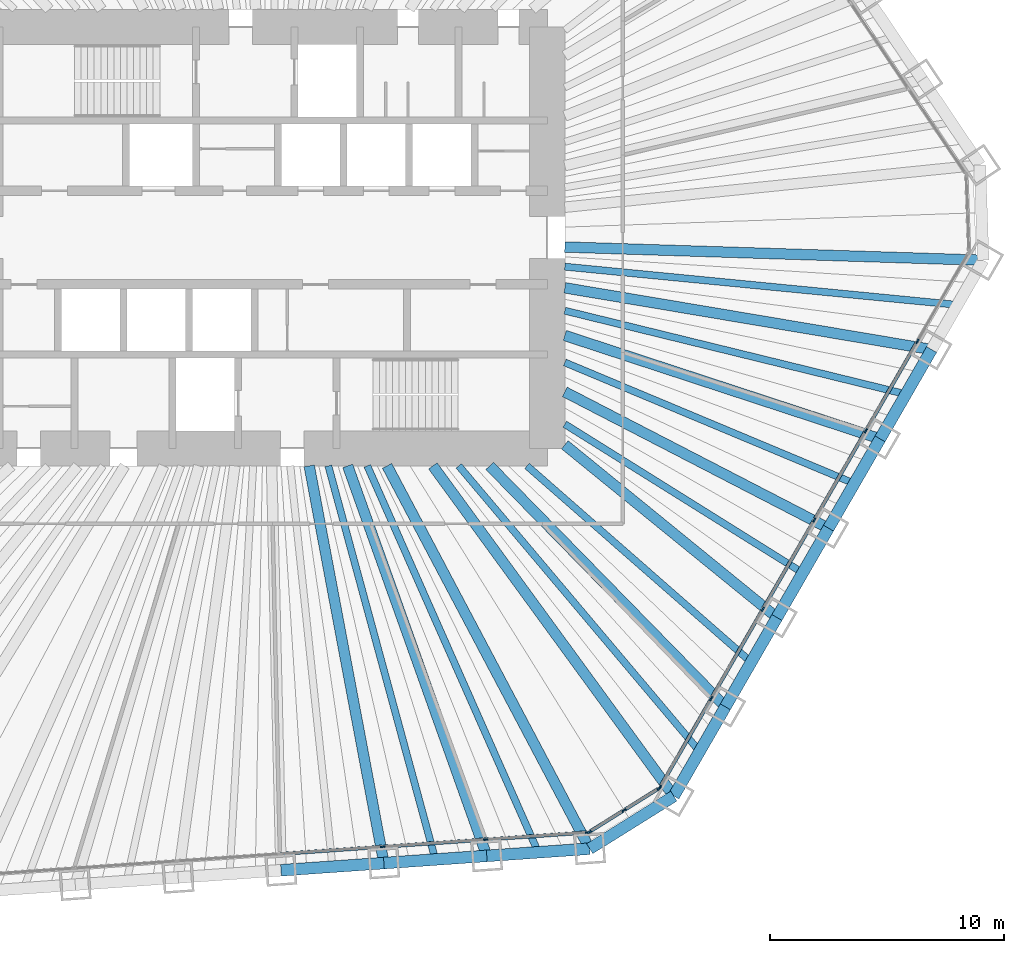
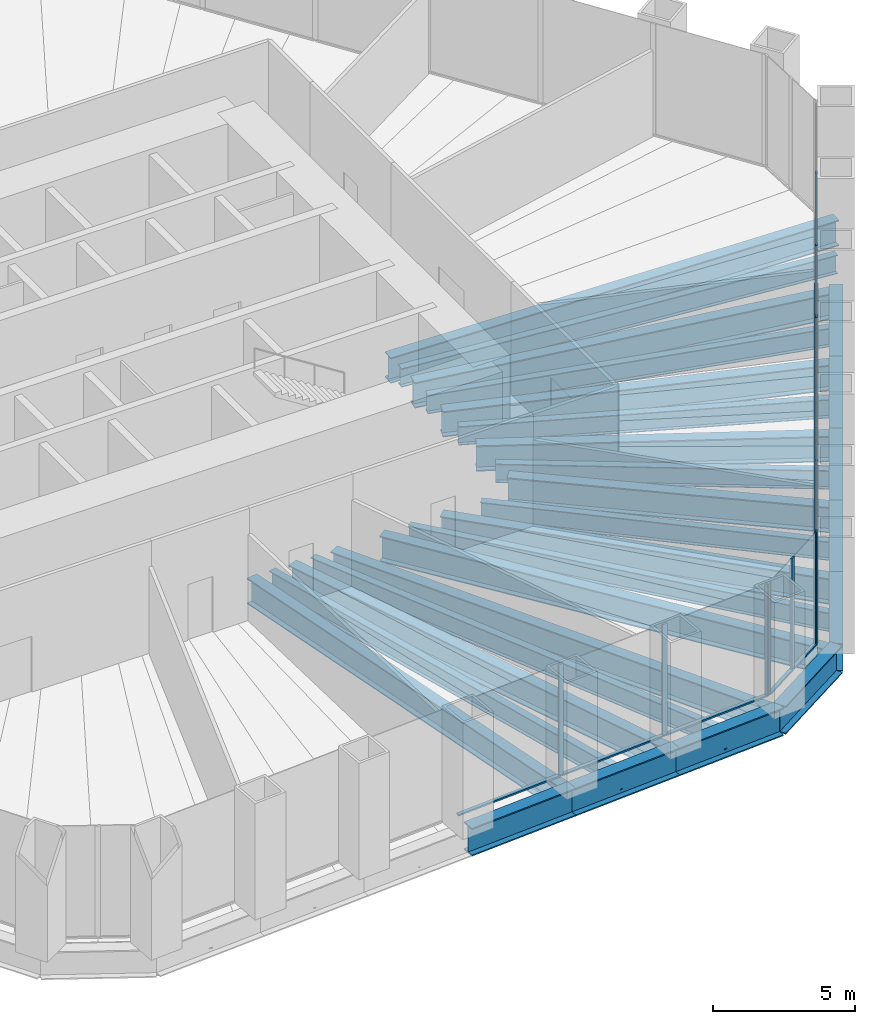
# One storey, part 4 of 13: 27 beams, 22 members, 3 elements without a shape of their own.
"""IFC4 building model written with IfcOpenShell, lengths in metres."""

from ifc_helpers import new_model, si_unit, direction, frame, origin, origin_2d, place, context, subcontext, project, spatial, rectangle, i_section, extrude, material, material_profile, profile_set, type_object, element, aggregate, save


model = new_model("IFC4")

# Units and contexts
model_context = context("Model", 3, precision=1e-05, world=origin(), true_north=direction((0.0, 1.0)))
body_context = subcontext(model_context, "Body", "Model", "MODEL_VIEW")
ifc_project = project(units=[si_unit("LENGTHUNIT", "METRE"), si_unit("AREAUNIT", "SQUARE_METRE"), si_unit("VOLUMEUNIT", "CUBIC_METRE"), si_unit("PLANEANGLEUNIT", "RADIAN"), si_unit("MASSUNIT", "GRAM", prefix="KILO")], contexts=[model_context])

# Site, building, storey
site_placement = place(None, origin())
site = spatial("IfcSite", under=ifc_project, at=site_placement, CompositionType="ELEMENT")
building_placement = place(site_placement, origin())
building = spatial("IfcBuilding", under=site, at=building_placement, Name="Qingtian Harvest Tower", CompositionType="ELEMENT")
storey_placement = place(building_placement, frame((0.0, 0.0, 27.0)))
storey = spatial("IfcBuildingStorey", under=building, at=storey_placement, Name="L05", CompositionType="ELEMENT", Elevation=27.0)

# Beams
ifc_material_1 = material(Name="Steel SM570MC", Category="steel")
ifc_material_profile_1 = material_profile(ifc_material_1, i_section(OverallWidth=0.449951171875, OverallDepth=1.10009765625, WebThickness=0.02197265625, FlangeThickness=0.044921875, at=origin_2d()), Name="H1100x450x22x45")
ifc_profile_set_1 = profile_set([ifc_material_profile_1], Name="Steel SM570MC")
beam_type_1 = type_object("IfcBeamType", Name="Corner floor beam FB8 H1100x450x22x45", PredefinedType="BEAM", material=ifc_profile_set_1)
beam_1_placement = place(storey_placement, frame((30.618408203125, -0.96728515625, -0.75), z_axis=(-0.999501426546, 0.031573696842, 0.0), x_axis=(-0.031573696842, -0.999501426546, 0.0)))
element("IfcBeam", 1, at=beam_1_placement, inside=storey, type_object=beam_type_1, Name="Floor beam FB8 SE0", PredefinedType="BEAM", context=body_context, shape_type="SweptSolid", body=[
    extrude(i_section(OverallWidth=0.449951171875, OverallDepth=1.10009765625, WebThickness=0.02197265625, FlangeThickness=0.044921875, at=origin_2d()), origin(), (0.0, 0.0, 1.0), 17.87744140625),
])
beam_2_placement = place(storey_placement, frame((17.404541015625, -23.854248046875, -0.75), z_axis=(-0.58941234871, 0.807832336062, 0.0), x_axis=(-0.807832336062, -0.58941234871, 0.0)))
element("IfcBeam", 2, at=beam_2_placement, inside=storey, type_object=beam_type_1, Name="Floor beam FB8 SE6", PredefinedType="BEAM", context=body_context, shape_type="SweptSolid", body=[
    extrude(i_section(OverallWidth=0.449951171875, OverallDepth=1.10009765625, WebThickness=0.02197265625, FlangeThickness=0.044921875, at=origin_2d()), origin(), (0.0, 0.0, 1.0), 17.45947265625),
])
beam_3_placement = place(storey_placement, frame((13.810546875, -26.10009765625, -0.75), z_axis=(-0.467705182679, 0.883884529843, 0.0), x_axis=(-0.883884529843, -0.467705182679, 0.0)))
element("IfcBeam", 3, at=beam_3_placement, inside=storey, type_object=beam_type_1, Name="Floor beam FB8 S0", PredefinedType="BEAM", context=body_context, shape_type="SweptSolid", body=[
    extrude(i_section(OverallWidth=0.449951171875, OverallDepth=1.10009765625, WebThickness=0.02197265625, FlangeThickness=0.044921875, at=origin_2d()), origin(), (0.0, 0.0, 1.0), 18.498046875),
])
ifc_material_2 = material(Name="Steel SM570MC", Category="steel")
ifc_material_profile_2 = material_profile(ifc_material_2, i_section(OverallWidth=0.449951171875, OverallDepth=1.10009765625, WebThickness=0.02197265625, FlangeThickness=0.044921875, at=origin_2d()), Name="H1100x450x22x45")
ifc_profile_set_2 = profile_set([ifc_material_profile_2], Name="Steel SM570MC")
beam_type_2 = type_object("IfcBeamType", Name="Floor beam FB1 H1100x450x22x45", PredefinedType="BEAM", material=ifc_profile_set_2)
beam_4_placement = place(storey_placement, frame((28.416015625, -4.78173828125, -0.75), z_axis=(-0.986135195489, 0.16594389479, 0.0), x_axis=(-0.16594389479, -0.986135195489, 0.0)))
element("IfcBeam", 4, at=beam_4_placement, inside=storey, type_object=beam_type_2, Name="Floor beam FB1 SE1", PredefinedType="BEAM", context=body_context, shape_type="SweptSolid", body=[
    extrude(i_section(OverallWidth=0.449951171875, OverallDepth=1.10009765625, WebThickness=0.02197265625, FlangeThickness=0.044921875, at=origin_2d()), origin(), (0.0, 0.0, 1.0), 15.88623046875),
])
beam_5_placement = place(storey_placement, frame((26.2138671875, -8.596435546875, -0.75), z_axis=(-0.950210724421, 0.311608053803, 0.0), x_axis=(-0.311608053803, -0.950210724421, 0.0)))
element("IfcBeam", 5, at=beam_5_placement, inside=storey, type_object=beam_type_2, Name="Floor beam FB1 SE2", PredefinedType="BEAM", context=body_context, shape_type="SweptSolid", body=[
    extrude(i_section(OverallWidth=0.449951171875, OverallDepth=1.10009765625, WebThickness=0.02197265625, FlangeThickness=0.044921875, at=origin_2d()), origin(), (0.0, 0.0, 1.0), 14.16943359375),
])
beam_6_placement = place(storey_placement, frame((24.011474609375, -12.410888671875, -0.75), z_axis=(-0.888349581519, 0.45916774823, 0.0), x_axis=(-0.45916774823, -0.888349581519, 0.0)))
element("IfcBeam", 6, at=beam_6_placement, inside=storey, type_object=beam_type_2, Name="Floor beam FB1 SE3", PredefinedType="BEAM", context=body_context, shape_type="SweptSolid", body=[
    extrude(i_section(OverallWidth=0.449951171875, OverallDepth=1.10009765625, WebThickness=0.02197265625, FlangeThickness=0.044921875, at=origin_2d()), origin(), (0.0, 0.0, 1.0), 12.6767578125),
])
beam_7_placement = place(storey_placement, frame((21.809326171875, -16.225341796875, -0.75), z_axis=(-0.775504415669, 0.631342142802, 0.0), x_axis=(-0.631342142802, -0.775504415669, 0.0)))
element("IfcBeam", 7, at=beam_7_placement, inside=storey, type_object=beam_type_2, Name="Floor beam FB1 SE4", PredefinedType="BEAM", context=body_context, shape_type="SweptSolid", body=[
    extrude(i_section(OverallWidth=0.449951171875, OverallDepth=1.10009765625, WebThickness=0.02197265625, FlangeThickness=0.044921875, at=origin_2d()), origin(), (0.0, 0.0, 1.0), 11.681884765625),
])
beam_8_placement = place(storey_placement, frame((19.60693359375, -20.039794921875, -0.75), z_axis=(-0.699348221539, 0.714781130858, 0.0), x_axis=(-0.714781130858, -0.699348221539, 0.0)))
element("IfcBeam", 8, at=beam_8_placement, inside=storey, type_object=beam_type_2, Name="Floor beam FB1 SE5", PredefinedType="BEAM", context=body_context, shape_type="SweptSolid", body=[
    extrude(i_section(OverallWidth=0.449951171875, OverallDepth=1.10009765625, WebThickness=0.02197265625, FlangeThickness=0.044921875, at=origin_2d()), origin(), (0.0, 0.0, 1.0), 14.395751953125),
])
beam_9_placement = place(storey_placement, frame((9.41650390625, -26.407470703125, -0.75), z_axis=(-0.33586498155, 0.941910141239, 0.0), x_axis=(-0.941910141239, -0.33586498155, 0.0)))
element("IfcBeam", 9, at=beam_9_placement, inside=storey, type_object=beam_type_2, Name="Floor beam FB1 S1", PredefinedType="BEAM", context=body_context, shape_type="SweptSolid", body=[
    extrude(i_section(OverallWidth=0.449951171875, OverallDepth=1.10009765625, WebThickness=0.02197265625, FlangeThickness=0.044921875, at=origin_2d()), origin(), (0.0, 0.0, 1.0), 17.684814453125),
])
beam_10_placement = place(storey_placement, frame((5.022705078125, -26.714599609375, -0.75), z_axis=(-0.184782942099, 0.98277935688, 0.0), x_axis=(-0.98277935688, -0.184782942099, 0.0)))
element("IfcBeam", 10, at=beam_10_placement, inside=storey, type_object=beam_type_2, Name="Floor beam FB1 S2", PredefinedType="BEAM", context=body_context, shape_type="SweptSolid", body=[
    extrude(i_section(OverallWidth=0.449951171875, OverallDepth=1.10009765625, WebThickness=0.02197265625, FlangeThickness=0.044921875, at=origin_2d()), origin(), (0.0, 0.0, 1.0), 17.261962890625),
])
ifc_material_3 = material(Name="Steel SN490B", Category="steel")
ifc_material_profile_3 = material_profile(ifc_material_3, i_section(OverallWidth=0.300048828125, OverallDepth=0.800048828125, WebThickness=0.013916015625, FlangeThickness=0.02587890625, at=origin_2d()), Name="H800x300x14x26")
ifc_profile_set_3 = profile_set([ifc_material_profile_3], Name="Steel SN490B")
beam_type_3 = type_object("IfcBeamType", Name="Floor joist J1 H800x300x14x26", PredefinedType="JOIST", material=ifc_profile_set_3)
beam_11_placement = place(storey_placement, frame((29.517333984375, -2.87451171875, -0.60009765625), z_axis=(-0.995291970786, 0.096922097011, 0.0), x_axis=(-0.096922097011, -0.995291970786, 0.0)))
element("IfcBeam", 11, at=beam_11_placement, inside=storey, type_object=beam_type_3, Name="Floor joist J1 SE0", PredefinedType="JOIST", context=body_context, shape_type="SweptSolid", body=[
    extrude(i_section(OverallWidth=0.300048828125, OverallDepth=0.800048828125, WebThickness=0.013916015625, FlangeThickness=0.02587890625, at=origin_2d()), origin(), (0.0, 0.0, 1.0), 16.8466796875),
])
beam_12_placement = place(storey_placement, frame((27.31494140625, -6.68896484375, -0.60009765625), z_axis=(-0.971301533706, 0.237851488583, 0.0), x_axis=(-0.237851488583, -0.971301533706, 0.0)))
element("IfcBeam", 12, at=beam_12_placement, inside=storey, type_object=beam_type_3, Name="Floor joist J1 SE1", PredefinedType="JOIST", context=body_context, shape_type="SweptSolid", body=[
    extrude(i_section(OverallWidth=0.300048828125, OverallDepth=0.800048828125, WebThickness=0.013916015625, FlangeThickness=0.02587890625, at=origin_2d()), origin(), (0.0, 0.0, 1.0), 14.995361328125),
])
beam_13_placement = place(storey_placement, frame((25.112548828125, -10.503662109375, -0.60009765625), z_axis=(-0.922550516103, 0.385876334125, 0.0), x_axis=(-0.385876334125, -0.922550516103, 0.0)))
element("IfcBeam", 13, at=beam_13_placement, inside=storey, type_object=beam_type_3, Name="Floor joist J1 SE2", PredefinedType="JOIST", context=body_context, shape_type="SweptSolid", body=[
    extrude(i_section(OverallWidth=0.300048828125, OverallDepth=0.800048828125, WebThickness=0.013916015625, FlangeThickness=0.02587890625, at=origin_2d()), origin(), (0.0, 0.0, 1.0), 13.400390625),
])
beam_14_placement = place(storey_placement, frame((22.910400390625, -14.318115234375, -0.60009765625), z_axis=(-0.848013185461, 0.52997512893, 0.0), x_axis=(-0.52997512893, -0.848013185461, 0.0)))
element("IfcBeam", 14, at=beam_14_placement, inside=storey, type_object=beam_type_3, Name="Floor joist J1 SE3", PredefinedType="JOIST", context=body_context, shape_type="SweptSolid", body=[
    extrude(i_section(OverallWidth=0.300048828125, OverallDepth=0.800048828125, WebThickness=0.013916015625, FlangeThickness=0.02587890625, at=origin_2d()), origin(), (0.0, 0.0, 1.0), 11.9814453125),
])
beam_15_placement = place(storey_placement, frame((20.7080078125, -18.132568359375, -0.60009765625), z_axis=(-0.75234369212, 0.658770801514, 0.0), x_axis=(-0.658770801514, -0.75234369212, 0.0)))
element("IfcBeam", 15, at=beam_15_placement, inside=storey, type_object=beam_type_3, Name="Floor joist J1 SE4", PredefinedType="JOIST", context=body_context, shape_type="SweptSolid", body=[
    extrude(i_section(OverallWidth=0.300048828125, OverallDepth=0.800048828125, WebThickness=0.013916015625, FlangeThickness=0.02587890625, at=origin_2d()), origin(), (0.0, 0.0, 1.0), 12.724609375),
])
beam_16_placement = place(storey_placement, frame((18.505859375, -21.947021484375, -0.60009765625), z_axis=(-0.644630398038, 0.76449437534, 0.0), x_axis=(-0.76449437534, -0.644630398038, 0.0)))
element("IfcBeam", 16, at=beam_16_placement, inside=storey, type_object=beam_type_3, Name="Floor joist J1 SE5", PredefinedType="JOIST", context=body_context, shape_type="SweptSolid", body=[
    extrude(i_section(OverallWidth=0.300048828125, OverallDepth=0.800048828125, WebThickness=0.013916015625, FlangeThickness=0.02587890625, at=origin_2d()), origin(), (0.0, 0.0, 1.0), 15.954345703125),
])
beam_17_placement = place(storey_placement, frame((11.613525390625, -26.25390625, -0.60009765625), z_axis=(-0.404539958959, 0.914520323233, 0.0), x_axis=(-0.914520323233, -0.404539958959, 0.0)))
element("IfcBeam", 17, at=beam_17_placement, inside=storey, type_object=beam_type_3, Name="Floor joist J1 S0", PredefinedType="JOIST", context=body_context, shape_type="SweptSolid", body=[
    extrude(i_section(OverallWidth=0.300048828125, OverallDepth=0.800048828125, WebThickness=0.013916015625, FlangeThickness=0.02587890625, at=origin_2d()), origin(), (0.0, 0.0, 1.0), 18.046630859375),
])
beam_18_placement = place(storey_placement, frame((7.2197265625, -26.56103515625, -0.60009765625), z_axis=(-0.262302659247, 0.964985655309, 0.0), x_axis=(-0.964985655309, -0.262302659247, 0.0)))
element("IfcBeam", 18, at=beam_18_placement, inside=storey, type_object=beam_type_3, Name="Floor joist J1 S1", PredefinedType="JOIST", context=body_context, shape_type="SweptSolid", body=[
    extrude(i_section(OverallWidth=0.300048828125, OverallDepth=0.800048828125, WebThickness=0.013916015625, FlangeThickness=0.02587890625, at=origin_2d()), origin(), (0.0, 0.0, 1.0), 17.421142578125),
])

# Curtain wall, members
ifc_material_4 = material(Name="Bronze-anodised aluminium curtain wall", Category="aluminium")
curtain_wall_type = type_object("IfcCurtainWallType", Name="Curtain wall CW2 farm reception", PredefinedType="USERDEFINED", material=ifc_material_4)
curtain_wall_1_placement = place(storey_placement, origin())
curtain_wall_1 = element("IfcCurtainWall", 19, at=curtain_wall_1_placement, inside=storey, type_object=curtain_wall_type, Name="Curtain wall CW2 L05 SE0-5", ObjectType="RECESSED CURTAIN WALL", PredefinedType="USERDEFINED")
ifc_material_5 = material(Name="Bronze-anodised aluminium mullion", Category="aluminium")
ifc_material_profile_4 = material_profile(ifc_material_5, rectangle(XDim=0.06494140625, YDim=0.199951171875, at=origin_2d()), Name="AL 65x200")
ifc_profile_set_4 = profile_set([ifc_material_profile_4], Name="Bronze-anodised aluminium mullion")
member_type_1 = type_object("IfcMemberType", Name="Mullion CWM 65x200", PredefinedType="MULLION", material=ifc_profile_set_4)
member_1_placement = place(storey_placement, frame((27.809814453125, -4.431884765625, 0.0), z_axis=(0.0, 0.0, 1.0), x_axis=(0.866025403784, -0.5, 0.0)))
member_1 = element("IfcMember", 20, at=member_1_placement, type_object=member_type_1, Name="CW2 mullion 2", PredefinedType="MULLION", context=body_context, shape_type="SweptSolid", body=[
    extrude(rectangle(XDim=0.06494140625, YDim=0.199951171875, at=origin_2d()), origin(), (0.0, 0.0, 1.0), 4.800048828125),
])
member_2_placement = place(storey_placement, frame((25.607666015625, -8.246337890625, 0.0), z_axis=(0.0, 0.0, 1.0), x_axis=(0.866025403784, -0.5, 0.0)))
member_2 = element("IfcMember", 21, at=member_2_placement, type_object=member_type_1, Name="CW2 mullion 3", PredefinedType="MULLION", context=body_context, shape_type="SweptSolid", body=[
    extrude(rectangle(XDim=0.06494140625, YDim=0.199951171875, at=origin_2d()), origin(), (0.0, 0.0, 1.0), 4.800048828125),
])
member_3_placement = place(storey_placement, frame((23.4052734375, -12.060791015625, 0.0), z_axis=(0.0, 0.0, 1.0), x_axis=(0.866025403784, -0.5, 0.0)))
member_3 = element("IfcMember", 22, at=member_3_placement, type_object=member_type_1, Name="CW2 mullion 4", PredefinedType="MULLION", context=body_context, shape_type="SweptSolid", body=[
    extrude(rectangle(XDim=0.06494140625, YDim=0.199951171875, at=origin_2d()), origin(), (0.0, 0.0, 1.0), 4.800048828125),
])
member_4_placement = place(storey_placement, frame((21.202880859375, -15.875244140625, 0.0), z_axis=(0.0, 0.0, 1.0), x_axis=(0.866025403784, -0.5, 0.0)))
member_4 = element("IfcMember", 23, at=member_4_placement, type_object=member_type_1, Name="CW2 mullion 5", PredefinedType="MULLION", context=body_context, shape_type="SweptSolid", body=[
    extrude(rectangle(XDim=0.06494140625, YDim=0.199951171875, at=origin_2d()), origin(), (0.0, 0.0, 1.0), 4.800048828125),
])
member_5_placement = place(storey_placement, frame((19.000732421875, -19.68994140625, 0.0), z_axis=(0.0, 0.0, 1.0), x_axis=(0.866025403784, -0.5, 0.0)))
member_5 = element("IfcMember", 24, at=member_5_placement, type_object=member_type_1, Name="CW2 mullion 6", PredefinedType="MULLION", context=body_context, shape_type="SweptSolid", body=[
    extrude(rectangle(XDim=0.06494140625, YDim=0.199951171875, at=origin_2d()), origin(), (0.0, 0.0, 1.0), 4.800048828125),
])
member_6_placement = place(storey_placement, frame((16.814697265625, -23.47607421875, 0.0), z_axis=(0.0, 0.0, 1.0), x_axis=(0.866025403784, -0.5, 0.0)))
member_6 = element("IfcMember", 25, at=member_6_placement, type_object=member_type_1, Name="CW2 mullion 7", PredefinedType="MULLION", context=body_context, shape_type="SweptSolid", body=[
    extrude(rectangle(XDim=0.06494140625, YDim=0.199951171875, at=origin_2d()), origin(), (0.0, 0.0, 1.0), 4.800048828125),
])

curtain_wall_2_placement = place(storey_placement, origin())
curtain_wall_2 = element("IfcCurtainWall", 26, at=curtain_wall_2_placement, inside=storey, type_object=curtain_wall_type, Name="Curtain wall CW2 L05 SEC", ObjectType="RECESSED CURTAIN WALL", PredefinedType="USERDEFINED")
member_7_placement = place(storey_placement, frame((16.770751953125, -23.521484375, 0.0), z_axis=(0.0, 0.0, 1.0), x_axis=(0.529919264233, -0.848048096156, 0.0)))
member_7 = element("IfcMember", 27, at=member_7_placement, type_object=member_type_1, Name="CW2 mullion 1", PredefinedType="MULLION", context=body_context, shape_type="SweptSolid", body=[
    extrude(rectangle(XDim=0.06494140625, YDim=0.199951171875, at=origin_2d()), origin(), (0.0, 0.0, 1.0), 4.800048828125),
])
member_8_placement = place(storey_placement, frame((15.280029296875, -24.453125, 0.0), z_axis=(0.0, 0.0, 1.0), x_axis=(0.529919264233, -0.848048096156, 0.0)))
member_8 = element("IfcMember", 28, at=member_8_placement, type_object=member_type_1, Name="CW2 mullion 2", PredefinedType="MULLION", context=body_context, shape_type="SweptSolid", body=[
    extrude(rectangle(XDim=0.06494140625, YDim=0.199951171875, at=origin_2d()), origin(), (0.0, 0.0, 1.0), 4.800048828125),
])
member_9_placement = place(storey_placement, frame((13.789306640625, -25.384765625, 0.0), z_axis=(0.0, 0.0, 1.0), x_axis=(0.529919264233, -0.848048096156, 0.0)))
member_9 = element("IfcMember", 29, at=member_9_placement, type_object=member_type_1, Name="CW2 mullion 3", PredefinedType="MULLION", context=body_context, shape_type="SweptSolid", body=[
    extrude(rectangle(XDim=0.06494140625, YDim=0.199951171875, at=origin_2d()), origin(), (0.0, 0.0, 1.0), 4.800048828125),
])

curtain_wall_3_placement = place(storey_placement, origin())
curtain_wall_3 = element("IfcCurtainWall", 30, at=curtain_wall_3_placement, inside=storey, type_object=curtain_wall_type, Name="Curtain wall CW2 L05 S0-5", ObjectType="RECESSED CURTAIN WALL", PredefinedType="USERDEFINED")
member_10_placement = place(storey_placement, frame((13.729248046875, -25.404296875, 0.0), z_axis=(0.0, 0.0, 1.0), x_axis=(0.069756473744, -0.99756405026, 0.0)))
member_10 = element("IfcMember", 31, at=member_10_placement, type_object=member_type_1, Name="CW2 mullion 1", PredefinedType="MULLION", context=body_context, shape_type="SweptSolid", body=[
    extrude(rectangle(XDim=0.06494140625, YDim=0.199951171875, at=origin_2d()), origin(), (0.0, 0.0, 1.0), 4.800048828125),
])
member_11_placement = place(storey_placement, frame((9.36767578125, -25.709228515625, 0.0), z_axis=(0.0, 0.0, 1.0), x_axis=(0.069756473744, -0.99756405026, 0.0)))
member_11 = element("IfcMember", 32, at=member_11_placement, type_object=member_type_1, Name="CW2 mullion 2", PredefinedType="MULLION", context=body_context, shape_type="SweptSolid", body=[
    extrude(rectangle(XDim=0.06494140625, YDim=0.199951171875, at=origin_2d()), origin(), (0.0, 0.0, 1.0), 4.800048828125),
])
member_12_placement = place(storey_placement, frame((4.973876953125, -26.016357421875, 0.0), z_axis=(0.0, 0.0, 1.0), x_axis=(0.069756473744, -0.99756405026, 0.0)))
member_12 = element("IfcMember", 33, at=member_12_placement, type_object=member_type_1, Name="CW2 mullion 3", PredefinedType="MULLION", context=body_context, shape_type="SweptSolid", body=[
    extrude(rectangle(XDim=0.06494140625, YDim=0.199951171875, at=origin_2d()), origin(), (0.0, 0.0, 1.0), 4.800048828125),
])

# Beams
ifc_material_6 = material(Name="Steel SM570MC", Category="steel")
ifc_material_profile_5 = material_profile(ifc_material_6, i_section(OverallWidth=0.5, OverallDepth=1.199951171875, WebThickness=0.02490234375, FlangeThickness=0.050048828125, at=origin_2d()), Name="H1200x500x25x50")
ifc_profile_set_5 = profile_set([ifc_material_profile_5], Name="Steel SM570MC")
beam_type_4 = type_object("IfcBeamType", Name="Spandrel beam SB1 H1200x500x25x50", PredefinedType="SPANDREL", material=ifc_profile_set_5)
beam_19_placement = place(storey_placement, frame((28.416015625, -4.78173828125, -0.60009765625), z_axis=(-0.499954356739, -0.86605175433, 0.0), x_axis=(0.86605175433, -0.499954356739, 0.0)))
element("IfcBeam", 34, at=beam_19_placement, inside=storey, type_object=beam_type_4, Name="Spandrel SB1 SE1", PredefinedType="SPANDREL", context=body_context, shape_type="SweptSolid", body=[
    extrude(i_section(OverallWidth=0.5, OverallDepth=1.199951171875, WebThickness=0.02490234375, FlangeThickness=0.050048828125, at=origin_2d()), origin(), (0.0, 0.0, 1.0), 4.40478515625),
])
for number, where, z_axis, x_axis, name in (
    (35, (26.2138671875, -8.596435546875, -0.60009765625), (-0.50001992892, -0.866013897511, 0.0), (0.866013897511, -0.50001992892, 0.0), "Spandrel SB1 SE2"),
    (36, (24.011474609375, -12.410888671875, -0.60009765625), (-0.499978356969, -0.866037899034, 0.0), (0.866037899034, -0.499978356969, 0.0), "Spandrel SB1 SE3"),
    (37, (21.809326171875, -16.225341796875, -0.60009765625), (-0.50001992892, -0.866013897511, 0.0), (0.866013897511, -0.50001992892, 0.0), "Spandrel SB1 SE4"),
    (38, (19.60693359375, -20.039794921875, -0.60009765625), (-0.50001992892, -0.866013897511, 0.0), (0.866013897511, -0.50001992892, 0.0), "Spandrel SB1 SE5"),
):
    element("IfcBeam", number, at=place(storey_placement, frame(where, z_axis=z_axis, x_axis=x_axis)), inside=storey, type_object=beam_type_4, Name=name, PredefinedType="SPANDREL", context=body_context, shape_type="SweptSolid", body=[
        extrude(i_section(OverallWidth=0.5, OverallDepth=1.199951171875, WebThickness=0.02490234375, FlangeThickness=0.050048828125, at=origin_2d()), origin(), (0.0, 0.0, 1.0), 4.404541015625),
    ])
beam_20_placement = place(storey_placement, frame((17.404541015625, -23.854248046875, -0.60009765625), z_axis=(-0.848040374245, -0.529931621675, 0.0), x_axis=(0.529931621675, -0.848040374245, 0.0)))
element("IfcBeam", 39, at=beam_20_placement, inside=storey, type_object=beam_type_4, Name="Spandrel SB1 SEC", PredefinedType="SPANDREL", context=body_context, shape_type="SweptSolid", body=[
    extrude(i_section(OverallWidth=0.5, OverallDepth=1.199951171875, WebThickness=0.02490234375, FlangeThickness=0.050048828125, at=origin_2d()), origin(), (0.0, 0.0, 1.0), 4.238037109375),
])
beam_21_placement = place(storey_placement, frame((13.810546875, -26.10009765625, -0.60009765625), z_axis=(-0.997562286406, -0.069781693443, 0.0), x_axis=(0.069781693443, -0.997562286406, 0.0)))
element("IfcBeam", 40, at=beam_21_placement, inside=storey, type_object=beam_type_4, Name="Spandrel SB1 S0", PredefinedType="SPANDREL", context=body_context, shape_type="SweptSolid", body=[
    extrude(i_section(OverallWidth=0.5, OverallDepth=1.199951171875, WebThickness=0.02490234375, FlangeThickness=0.050048828125, at=origin_2d()), origin(), (0.0, 0.0, 1.0), 4.40478515625),
])
for number, where, z_axis, x_axis, name in (
    (41, (9.41650390625, -26.407470703125, -0.60009765625), (-0.997565873714, -0.069730392239, 0.0), (0.069730392239, -0.997565873714, 0.0), "Spandrel SB1 S1"),
    (42, (5.022705078125, -26.714599609375, -0.60009765625), (-0.997562016486, -0.069785551967, 0.0), (0.069785551967, -0.997562016486, 0.0), "Spandrel SB1 S2"),
):
    element("IfcBeam", number, at=place(storey_placement, frame(where, z_axis=z_axis, x_axis=x_axis)), inside=storey, type_object=beam_type_4, Name=name, PredefinedType="SPANDREL", context=body_context, shape_type="SweptSolid", body=[
        extrude(i_section(OverallWidth=0.5, OverallDepth=1.199951171875, WebThickness=0.02490234375, FlangeThickness=0.050048828125, at=origin_2d()), origin(), (0.0, 0.0, 1.0), 4.404541015625),
    ])

# Member
ifc_material_7 = material(Name="Bronze-anodised aluminium transom", Category="aluminium")
ifc_material_profile_6 = material_profile(ifc_material_7, rectangle(XDim=0.14990234375, YDim=0.06494140625, at=origin_2d()), Name="AL 65x150")
ifc_profile_set_6 = profile_set([ifc_material_profile_6], Name="Bronze-anodised aluminium transom")
member_type_2 = type_object("IfcMemberType", Name="Transom CWT 65x150", PredefinedType="USERDEFINED", material=ifc_profile_set_6)
member_13_placement = place(storey_placement, frame((27.793701171875, -4.4599609375, 0.032470703125), z_axis=(-0.500011390128, -0.866018827591, 0.0), x_axis=(0.866018827591, -0.500011390128, 0.0)))
member_13 = element("IfcMember", 43, at=member_13_placement, type_object=member_type_2, Name="CW2 transom 2.1", ObjectType="TRANSOM", PredefinedType="USERDEFINED", context=body_context, shape_type="SweptSolid", body=[
    extrude(rectangle(XDim=0.14990234375, YDim=0.06494140625, at=origin_2d()), origin(), (0.0, 0.0, 1.0), 4.33984375),
])

member_14_placement = place(storey_placement, frame((25.59130859375, -8.2744140625, 0.032470703125), z_axis=(-0.499969196308, -0.866043187574, 0.0), x_axis=(0.866043187574, -0.499969196308, 0.0)))
member_14 = element("IfcMember", 44, at=member_14_placement, type_object=member_type_2, Name="CW2 transom 3.1", ObjectType="TRANSOM", PredefinedType="USERDEFINED", context=body_context, shape_type="SweptSolid", body=[
    extrude(rectangle(XDim=0.14990234375, YDim=0.06494140625, at=origin_2d()), origin(), (0.0, 0.0, 1.0), 4.339599609375),
])

member_15_placement = place(storey_placement, frame((23.38916015625, -12.0888671875, 0.032470703125), z_axis=(-0.500011390128, -0.866018827591, 0.0), x_axis=(0.866018827591, -0.500011390128, 0.0)))
member_15 = element("IfcMember", 45, at=member_15_placement, type_object=member_type_2, Name="CW2 transom 4.1", ObjectType="TRANSOM", PredefinedType="USERDEFINED", context=body_context, shape_type="SweptSolid", body=[
    extrude(rectangle(XDim=0.14990234375, YDim=0.06494140625, at=origin_2d()), origin(), (0.0, 0.0, 1.0), 4.33984375),
])

member_16_placement = place(storey_placement, frame((21.186767578125, -15.903564453125, 0.032470703125), z_axis=(-0.500035751442, -0.866004761696, 0.0), x_axis=(0.866004761696, -0.500035751442, 0.0)))
member_16 = element("IfcMember", 46, at=member_16_placement, type_object=member_type_2, Name="CW2 transom 5.1", ObjectType="TRANSOM", PredefinedType="USERDEFINED", context=body_context, shape_type="SweptSolid", body=[
    extrude(rectangle(XDim=0.14990234375, YDim=0.06494140625, at=origin_2d()), origin(), (0.0, 0.0, 1.0), 4.339599609375),
])

member_17_placement = place(storey_placement, frame((18.984375, -19.718017578125, 0.032470703125), z_axis=(-0.500010313095, -0.866019449435, 0.0), x_axis=(0.866019449435, -0.500010313095, 0.0)))
member_17 = element("IfcMember", 47, at=member_17_placement, type_object=member_type_2, Name="CW2 transom 6.1", ObjectType="TRANSOM", PredefinedType="USERDEFINED", context=body_context, shape_type="SweptSolid", body=[
    extrude(rectangle(XDim=0.14990234375, YDim=0.06494140625, at=origin_2d()), origin(), (0.0, 0.0, 1.0), 4.30712890625),
])

aggregate(curtain_wall_1, [member_1, member_2, member_3, member_4, member_5, member_6, member_13, member_14, member_15, member_16, member_17])

member_18_placement = place(storey_placement, frame((16.7431640625, -23.538818359375, 0.032470703125), z_axis=(-0.848063119425, -0.529895221219, 0.0), x_axis=(0.529895221219, -0.848063119425, 0.0)))
member_18 = element("IfcMember", 48, at=member_18_placement, type_object=member_type_2, Name="CW2 transom 1.1", ObjectType="TRANSOM", PredefinedType="USERDEFINED", context=body_context, shape_type="SweptSolid", body=[
    extrude(rectangle(XDim=0.14990234375, YDim=0.06494140625, at=origin_2d()), origin(), (0.0, 0.0, 1.0), 1.692626953125),
])

member_19_placement = place(storey_placement, frame((15.25244140625, -24.470458984375, 0.032470703125), z_axis=(-0.848103609743, -0.529830413568, 0.0), x_axis=(0.529830413568, -0.848103609743, 0.0)))
member_19 = element("IfcMember", 49, at=member_19_placement, type_object=member_type_2, Name="CW2 transom 2.1", ObjectType="TRANSOM", PredefinedType="USERDEFINED", context=body_context, shape_type="SweptSolid", body=[
    extrude(rectangle(XDim=0.14990234375, YDim=0.06494140625, at=origin_2d()), origin(), (0.0, 0.0, 1.0), 1.69287109375),
])

aggregate(curtain_wall_2, [member_7, member_8, member_9, member_18, member_19])

member_20_placement = place(storey_placement, frame((13.69677734375, -25.406494140625, 0.032470703125), z_axis=(-0.997566581753, -0.069720262262, 0.0), x_axis=(0.069720262262, -0.997566581753, 0.0)))
member_20 = element("IfcMember", 50, at=member_20_placement, type_object=member_type_2, Name="CW2 transom 1.1", ObjectType="TRANSOM", PredefinedType="USERDEFINED", context=body_context, shape_type="SweptSolid", body=[
    extrude(rectangle(XDim=0.14990234375, YDim=0.06494140625, at=origin_2d()), origin(), (0.0, 0.0, 1.0), 4.30712890625),
])

member_21_placement = place(storey_placement, frame((9.33544921875, -25.71142578125, 0.032470703125), z_axis=(-0.997563824095, -0.069759707979, 0.0), x_axis=(0.069759707979, -0.997563824095, 0.0)))
member_21 = element("IfcMember", 51, at=member_21_placement, type_object=member_type_2, Name="CW2 transom 2.1", ObjectType="TRANSOM", PredefinedType="USERDEFINED", context=body_context, shape_type="SweptSolid", body=[
    extrude(rectangle(XDim=0.14990234375, YDim=0.06494140625, at=origin_2d()), origin(), (0.0, 0.0, 1.0), 4.339599609375),
])

member_22_placement = place(storey_placement, frame((4.94140625, -26.018798828125, 0.032470703125), z_axis=(-0.997567737508, -0.069703723594, 0.0), x_axis=(0.069703723594, -0.997567737508, 0.0)))
member_22 = element("IfcMember", 52, at=member_22_placement, type_object=member_type_2, Name="CW2 transom 3.1", ObjectType="TRANSOM", PredefinedType="USERDEFINED", context=body_context, shape_type="SweptSolid", body=[
    extrude(rectangle(XDim=0.14990234375, YDim=0.06494140625, at=origin_2d()), origin(), (0.0, 0.0, 1.0), 4.339599609375),
])

aggregate(curtain_wall_3, [member_10, member_11, member_12, member_20, member_21, member_22])

save(model, "model.ifc")
